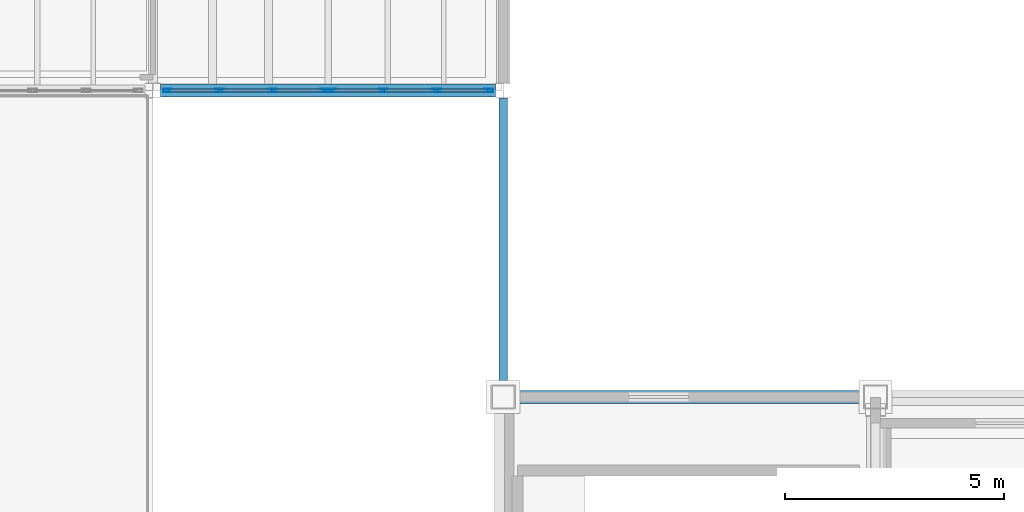
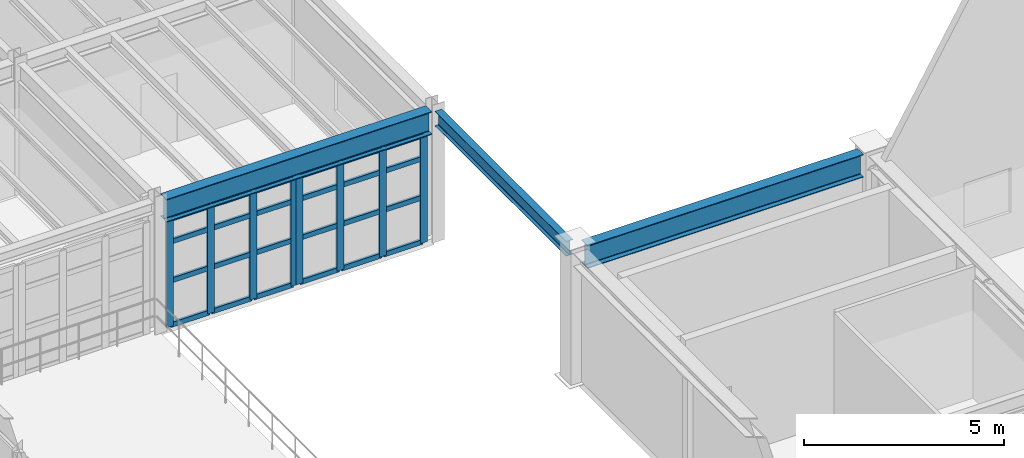
# One storey, part 23 of 78: 32 members, 3 beams, 2 elements without a shape of their own.
"""IFC4 building model written with IfcOpenShell, lengths in metres."""

from ifc_helpers import new_model, si_unit, direction, frame, origin, origin_2d, place, context, subcontext, project, spatial, hollow_rectangle, i_section, extrude, material, material_profile, profile_set, type_object, element, aggregate, save


model = new_model("IFC4")

# Units and contexts
model_context = context("Model", 3, precision=1e-05, world=origin(), true_north=direction((0.0, 1.0)))
body_context = subcontext(model_context, "Body", "Model", "MODEL_VIEW")
ifc_project = project(units=[si_unit("LENGTHUNIT", "METRE"), si_unit("AREAUNIT", "SQUARE_METRE"), si_unit("VOLUMEUNIT", "CUBIC_METRE"), si_unit("PLANEANGLEUNIT", "RADIAN"), si_unit("MASSUNIT", "GRAM", prefix="KILO"), si_unit("THERMODYNAMICTEMPERATUREUNIT", "KELVIN"), si_unit("POWERUNIT", "WATT")], contexts=[model_context])

# Site, building, storey
site_placement = place(None, origin())
site = spatial("IfcSite", under=ifc_project, at=site_placement, CompositionType="ELEMENT")
building_placement = place(site_placement, origin())
building = spatial("IfcBuilding", under=site, at=building_placement, Name="Zhenchuan Central Fire Station", CompositionType="ELEMENT")
storey_placement = place(building_placement, frame((0.0, 0.0, 5.85009765625)))
storey = spatial("IfcBuildingStorey", under=building, at=storey_placement, Name="L02", CompositionType="ELEMENT", Elevation=5.85009765625)

# Beams
ifc_material_1 = material(Name="Steel Q355B", Category="steel")
ifc_material_profile_1 = material_profile(ifc_material_1, i_section(OverallWidth=0.199951171875, OverallDepth=0.449951171875, WebThickness=0.009033203125, FlangeThickness=0.013916015625, FilletRadius=0.01806640625, at=origin_2d()), Name="HN 450x200")
ifc_profile_set_1 = profile_set([ifc_material_profile_1], Name="Steel Q355B")
beam_type_1 = type_object("IfcBeamType", Name="BM-HN450", PredefinedType="BEAM", material=ifc_profile_set_1)
beam_1_placement = place(storey_placement, frame((56.0, 35.77490234375, 3.77490234375), z_axis=(0.0, 1.0, 0.0), x_axis=(-1.0, 0.0, 0.0)))
element("IfcBeam", 1, at=beam_1_placement, inside=storey, type_object=beam_type_1, Name="L03 Girder NS 0313", PredefinedType="BEAM", context=body_context, shape_type="SweptSolid", body=[
    extrude(i_section(OverallWidth=0.199951171875, OverallDepth=0.449951171875, WebThickness=0.009033203125, FlangeThickness=0.013916015625, FilletRadius=0.01806640625, at=origin_2d()), origin(), (0.0, 0.0, 1.0), 6.550048828125),
])
ifc_material_profile_2 = material_profile(ifc_material_1, i_section(OverallWidth=0.300048828125, OverallDepth=0.699951171875, WebThickness=0.012939453125, FlangeThickness=0.02392578125, FilletRadius=0.02392578125, at=origin_2d()), Name="HN 700x300")
ifc_profile_set_2 = profile_set([ifc_material_profile_2], Name="Steel Q355B")
beam_type_2 = type_object("IfcBeamType", Name="BM-HN700", PredefinedType="BEAM", material=ifc_profile_set_2)
beam_2_placement = place(storey_placement, frame((56.27490234375, 35.5, 3.64990234375), z_axis=(1.0, 0.0, 0.0), x_axis=(0.0, 1.0, 0.0)))
element("IfcBeam", 2, at=beam_2_placement, inside=storey, type_object=beam_type_2, Name="L03 Girder EW 0234", PredefinedType="BEAM", context=body_context, shape_type="SweptSolid", body=[
    extrude(i_section(OverallWidth=0.300048828125, OverallDepth=0.699951171875, WebThickness=0.012939453125, FlangeThickness=0.02392578125, FilletRadius=0.02392578125, at=origin_2d()), origin(), (0.0, 0.0, 1.0), 7.9501953125),
])
beam_3_placement = place(storey_placement, frame((48.175048828125, 42.5, 3.64990234375), z_axis=(1.0, 0.0, 0.0), x_axis=(0.0, 1.0, 0.0)))
element("IfcBeam", 3, at=beam_3_placement, inside=storey, type_object=beam_type_2, Name="L03 Girder EW 0248", PredefinedType="BEAM", context=body_context, shape_type="SweptSolid", body=[
    extrude(i_section(OverallWidth=0.300048828125, OverallDepth=0.699951171875, WebThickness=0.012939453125, FlangeThickness=0.02392578125, FilletRadius=0.02392578125, at=origin_2d()), origin(), (0.0, 0.0, 1.0), 7.64990234375),
])

# Curtain wall, members
ifc_material_2 = material(Name="Anodised aluminium and low-E glazing", Category="aluminium")
curtain_wall_type_1 = type_object("IfcCurtainWallType", Name="CW-MOD-07", PredefinedType="USERDEFINED", material=ifc_material_2)
curtain_wall_1_placement = place(storey_placement, origin())
curtain_wall_1 = element("IfcCurtainWall", 4, at=curtain_wall_1_placement, inside=storey, type_object=curtain_wall_type_1, Name="L02 Unitised Curtain Wall 064", ObjectType="UNITISED GLAZING", PredefinedType="USERDEFINED")
ifc_material_3 = material(Name="Anodised aluminium EN AW-6063", Category="aluminium")
ifc_material_profile_3 = material_profile(ifc_material_3, hollow_rectangle(XDim=0.074951171875, YDim=0.199951171875, WallThickness=0.0048828125, at=origin_2d()), Name="ALU-M 200x75")
ifc_profile_set_3 = profile_set([ifc_material_profile_3], Name="Anodised aluminium EN AW-6063")
member_type_1 = type_object("IfcMemberType", Name="CW-MUL160", PredefinedType="MULLION", material=ifc_profile_set_3)
member_1_placement = place(storey_placement, frame((48.33251953125, 42.5, -0.004150390625), z_axis=(0.0, 0.0, 1.0), x_axis=(0.0, 1.0, 0.0)))
member_1 = element("IfcMember", 5, at=member_1_placement, type_object=member_type_1, Name="CW-07 mullion 1", PredefinedType="MULLION", context=body_context, shape_type="SweptSolid", body=[
    extrude(hollow_rectangle(XDim=0.074951171875, YDim=0.199951171875, WallThickness=0.0048828125, at=origin_2d()), origin(), (0.0, 0.0, 1.0), 3.298095703125),
])
member_2_placement = place(storey_placement, frame((49.520751953125, 42.5, -0.004150390625), z_axis=(0.0, 0.0, 1.0), x_axis=(0.0, 1.0, 0.0)))
member_2 = element("IfcMember", 6, at=member_2_placement, type_object=member_type_1, Name="CW-07 mullion 2", PredefinedType="MULLION", context=body_context, shape_type="SweptSolid", body=[
    extrude(hollow_rectangle(XDim=0.074951171875, YDim=0.199951171875, WallThickness=0.0048828125, at=origin_2d()), origin(), (0.0, 0.0, 1.0), 3.298095703125),
])
member_3_placement = place(storey_placement, frame((50.741455078125, 42.5, -0.004150390625), z_axis=(0.0, 0.0, 1.0), x_axis=(0.0, 1.0, 0.0)))
member_3 = element("IfcMember", 7, at=member_3_placement, type_object=member_type_1, Name="CW-07 mullion 3", PredefinedType="MULLION", context=body_context, shape_type="SweptSolid", body=[
    extrude(hollow_rectangle(XDim=0.074951171875, YDim=0.199951171875, WallThickness=0.0048828125, at=origin_2d()), origin(), (0.0, 0.0, 1.0), 3.298095703125),
])
member_4_placement = place(storey_placement, frame((51.929443359375, 42.5, -0.004150390625), z_axis=(0.0, 0.0, 1.0), x_axis=(0.0, 1.0, 0.0)))
member_4 = element("IfcMember", 8, at=member_4_placement, type_object=member_type_1, Name="CW-07 mullion 4", PredefinedType="MULLION", context=body_context, shape_type="SweptSolid", body=[
    extrude(hollow_rectangle(XDim=0.074951171875, YDim=0.199951171875, WallThickness=0.0048828125, at=origin_2d()), origin(), (0.0, 0.0, 1.0), 3.298095703125),
])

curtain_wall_type_2 = type_object("IfcCurtainWallType", Name="CW-MOD-08", PredefinedType="USERDEFINED", material=ifc_material_2)
curtain_wall_2_placement = place(storey_placement, origin())
curtain_wall_2 = element("IfcCurtainWall", 9, at=curtain_wall_2_placement, inside=storey, type_object=curtain_wall_type_2, Name="L02 Unitised Curtain Wall 065", ObjectType="UNITISED GLAZING", PredefinedType="USERDEFINED")
member_5_placement = place(storey_placement, frame((52.070556640625, 42.5, -0.004150390625), z_axis=(0.0, 0.0, 1.0), x_axis=(0.0, 1.0, 0.0)))
member_5 = element("IfcMember", 10, at=member_5_placement, type_object=member_type_1, Name="CW-08 mullion 1", PredefinedType="MULLION", context=body_context, shape_type="SweptSolid", body=[
    extrude(hollow_rectangle(XDim=0.074951171875, YDim=0.199951171875, WallThickness=0.0048828125, at=origin_2d()), origin(), (0.0, 0.0, 1.0), 3.298095703125),
])
member_6_placement = place(storey_placement, frame((53.258544921875, 42.5, -0.004150390625), z_axis=(0.0, 0.0, 1.0), x_axis=(0.0, 1.0, 0.0)))
member_6 = element("IfcMember", 11, at=member_6_placement, type_object=member_type_1, Name="CW-08 mullion 2", PredefinedType="MULLION", context=body_context, shape_type="SweptSolid", body=[
    extrude(hollow_rectangle(XDim=0.074951171875, YDim=0.199951171875, WallThickness=0.0048828125, at=origin_2d()), origin(), (0.0, 0.0, 1.0), 3.298095703125),
])
member_7_placement = place(storey_placement, frame((54.479248046875, 42.5, -0.004150390625), z_axis=(0.0, 0.0, 1.0), x_axis=(0.0, 1.0, 0.0)))
member_7 = element("IfcMember", 12, at=member_7_placement, type_object=member_type_1, Name="CW-08 mullion 3", PredefinedType="MULLION", context=body_context, shape_type="SweptSolid", body=[
    extrude(hollow_rectangle(XDim=0.074951171875, YDim=0.199951171875, WallThickness=0.0048828125, at=origin_2d()), origin(), (0.0, 0.0, 1.0), 3.298095703125),
])
member_8_placement = place(storey_placement, frame((55.66748046875, 42.5, -0.004150390625), z_axis=(0.0, 0.0, 1.0), x_axis=(0.0, 1.0, 0.0)))
member_8 = element("IfcMember", 13, at=member_8_placement, type_object=member_type_1, Name="CW-08 mullion 4", PredefinedType="MULLION", context=body_context, shape_type="SweptSolid", body=[
    extrude(hollow_rectangle(XDim=0.074951171875, YDim=0.199951171875, WallThickness=0.0048828125, at=origin_2d()), origin(), (0.0, 0.0, 1.0), 3.298095703125),
])

# Member
ifc_material_profile_4 = material_profile(ifc_material_3, hollow_rectangle(XDim=0.074951171875, YDim=0.14990234375, WallThickness=0.0048828125, at=origin_2d()), Name="ALU-T 150x75")
ifc_profile_set_4 = profile_set([ifc_material_profile_4], Name="Anodised aluminium EN AW-6063")
member_type_2 = type_object("IfcMemberType", Name="CW-TRN130", PredefinedType="NOTDEFINED", material=ifc_profile_set_4)
member_9_placement = place(storey_placement, frame((48.364990234375, 42.5, 0.0283203125), z_axis=(1.0, 0.0, 0.0), x_axis=(0.0, 1.0, 0.0)))
member_9 = element("IfcMember", 14, at=member_9_placement, type_object=member_type_2, Name="CW-07 transom 1.1", ObjectType="TRANSOM", PredefinedType="USERDEFINED", context=body_context, shape_type="SweptSolid", body=[
    extrude(hollow_rectangle(XDim=0.074951171875, YDim=0.14990234375, WallThickness=0.0048828125, at=origin_2d()), origin(), (0.0, 0.0, 1.0), 1.123291015625),
])

member_10_placement = place(storey_placement, frame((48.364990234375, 42.5, 1.38330078125), z_axis=(1.0, 0.0, 0.0), x_axis=(0.0, 1.0, 0.0)))
member_10 = element("IfcMember", 15, at=member_10_placement, type_object=member_type_2, Name="CW-07 transom 1.2", ObjectType="TRANSOM", PredefinedType="USERDEFINED", context=body_context, shape_type="SweptSolid", body=[
    extrude(hollow_rectangle(XDim=0.074951171875, YDim=0.14990234375, WallThickness=0.0048828125, at=origin_2d()), origin(), (0.0, 0.0, 1.0), 1.123291015625),
])

member_11_placement = place(storey_placement, frame((48.364990234375, 42.5, 2.569091796875), z_axis=(1.0, 0.0, 0.0), x_axis=(0.0, 1.0, 0.0)))
member_11 = element("IfcMember", 16, at=member_11_placement, type_object=member_type_2, Name="CW-07 transom 1.3", ObjectType="TRANSOM", PredefinedType="USERDEFINED", context=body_context, shape_type="SweptSolid", body=[
    extrude(hollow_rectangle(XDim=0.074951171875, YDim=0.14990234375, WallThickness=0.0048828125, at=origin_2d()), origin(), (0.0, 0.0, 1.0), 1.123291015625),
])

member_12_placement = place(storey_placement, frame((48.364990234375, 42.5, 3.261474609375), z_axis=(1.0, 0.0, 0.0), x_axis=(0.0, 1.0, 0.0)))
member_12 = element("IfcMember", 17, at=member_12_placement, type_object=member_type_2, Name="CW-07 transom 1.4", ObjectType="TRANSOM", PredefinedType="USERDEFINED", context=body_context, shape_type="SweptSolid", body=[
    extrude(hollow_rectangle(XDim=0.074951171875, YDim=0.14990234375, WallThickness=0.0048828125, at=origin_2d()), origin(), (0.0, 0.0, 1.0), 1.123291015625),
])

member_13_placement = place(storey_placement, frame((49.55322265625, 42.5, 0.0283203125), z_axis=(1.0, 0.0, 0.0), x_axis=(0.0, 1.0, 0.0)))
member_13 = element("IfcMember", 18, at=member_13_placement, type_object=member_type_2, Name="CW-07 transom 2.1", ObjectType="TRANSOM", PredefinedType="USERDEFINED", context=body_context, shape_type="SweptSolid", body=[
    extrude(hollow_rectangle(XDim=0.074951171875, YDim=0.14990234375, WallThickness=0.0048828125, at=origin_2d()), origin(), (0.0, 0.0, 1.0), 1.155517578125),
])

member_14_placement = place(storey_placement, frame((49.55322265625, 42.5, 1.38330078125), z_axis=(1.0, 0.0, 0.0), x_axis=(0.0, 1.0, 0.0)))
member_14 = element("IfcMember", 19, at=member_14_placement, type_object=member_type_2, Name="CW-07 transom 2.2", ObjectType="TRANSOM", PredefinedType="USERDEFINED", context=body_context, shape_type="SweptSolid", body=[
    extrude(hollow_rectangle(XDim=0.074951171875, YDim=0.14990234375, WallThickness=0.0048828125, at=origin_2d()), origin(), (0.0, 0.0, 1.0), 1.155517578125),
])

member_15_placement = place(storey_placement, frame((49.55322265625, 42.5, 2.569091796875), z_axis=(1.0, 0.0, 0.0), x_axis=(0.0, 1.0, 0.0)))
member_15 = element("IfcMember", 20, at=member_15_placement, type_object=member_type_2, Name="CW-07 transom 2.3", ObjectType="TRANSOM", PredefinedType="USERDEFINED", context=body_context, shape_type="SweptSolid", body=[
    extrude(hollow_rectangle(XDim=0.074951171875, YDim=0.14990234375, WallThickness=0.0048828125, at=origin_2d()), origin(), (0.0, 0.0, 1.0), 1.155517578125),
])

member_16_placement = place(storey_placement, frame((49.55322265625, 42.5, 3.261474609375), z_axis=(1.0, 0.0, 0.0), x_axis=(0.0, 1.0, 0.0)))
member_16 = element("IfcMember", 21, at=member_16_placement, type_object=member_type_2, Name="CW-07 transom 2.4", ObjectType="TRANSOM", PredefinedType="USERDEFINED", context=body_context, shape_type="SweptSolid", body=[
    extrude(hollow_rectangle(XDim=0.074951171875, YDim=0.14990234375, WallThickness=0.0048828125, at=origin_2d()), origin(), (0.0, 0.0, 1.0), 1.155517578125),
])

member_17_placement = place(storey_placement, frame((50.77392578125, 42.5, 0.0283203125), z_axis=(1.0, 0.0, 0.0), x_axis=(0.0, 1.0, 0.0)))
member_17 = element("IfcMember", 22, at=member_17_placement, type_object=member_type_2, Name="CW-07 transom 3.1", ObjectType="TRANSOM", PredefinedType="USERDEFINED", context=body_context, shape_type="SweptSolid", body=[
    extrude(hollow_rectangle(XDim=0.074951171875, YDim=0.14990234375, WallThickness=0.0048828125, at=origin_2d()), origin(), (0.0, 0.0, 1.0), 1.123046875),
])

member_18_placement = place(storey_placement, frame((50.77392578125, 42.5, 1.38330078125), z_axis=(1.0, 0.0, 0.0), x_axis=(0.0, 1.0, 0.0)))
member_18 = element("IfcMember", 23, at=member_18_placement, type_object=member_type_2, Name="CW-07 transom 3.2", ObjectType="TRANSOM", PredefinedType="USERDEFINED", context=body_context, shape_type="SweptSolid", body=[
    extrude(hollow_rectangle(XDim=0.074951171875, YDim=0.14990234375, WallThickness=0.0048828125, at=origin_2d()), origin(), (0.0, 0.0, 1.0), 1.123046875),
])

member_19_placement = place(storey_placement, frame((50.77392578125, 42.5, 2.569091796875), z_axis=(1.0, 0.0, 0.0), x_axis=(0.0, 1.0, 0.0)))
member_19 = element("IfcMember", 24, at=member_19_placement, type_object=member_type_2, Name="CW-07 transom 3.3", ObjectType="TRANSOM", PredefinedType="USERDEFINED", context=body_context, shape_type="SweptSolid", body=[
    extrude(hollow_rectangle(XDim=0.074951171875, YDim=0.14990234375, WallThickness=0.0048828125, at=origin_2d()), origin(), (0.0, 0.0, 1.0), 1.123046875),
])

member_20_placement = place(storey_placement, frame((50.77392578125, 42.5, 3.261474609375), z_axis=(1.0, 0.0, 0.0), x_axis=(0.0, 1.0, 0.0)))
member_20 = element("IfcMember", 25, at=member_20_placement, type_object=member_type_2, Name="CW-07 transom 3.4", ObjectType="TRANSOM", PredefinedType="USERDEFINED", context=body_context, shape_type="SweptSolid", body=[
    extrude(hollow_rectangle(XDim=0.074951171875, YDim=0.14990234375, WallThickness=0.0048828125, at=origin_2d()), origin(), (0.0, 0.0, 1.0), 1.123046875),
])

aggregate(curtain_wall_1, [member_1, member_2, member_3, member_4, member_9, member_10, member_11, member_12, member_13, member_14, member_15, member_16, member_17, member_18, member_19, member_20])

member_21_placement = place(storey_placement, frame((52.10302734375, 42.5, 0.0283203125), z_axis=(1.0, 0.0, 0.0), x_axis=(0.0, 1.0, 0.0)))
member_21 = element("IfcMember", 26, at=member_21_placement, type_object=member_type_2, Name="CW-08 transom 1.1", ObjectType="TRANSOM", PredefinedType="USERDEFINED", context=body_context, shape_type="SweptSolid", body=[
    extrude(hollow_rectangle(XDim=0.074951171875, YDim=0.14990234375, WallThickness=0.0048828125, at=origin_2d()), origin(), (0.0, 0.0, 1.0), 1.123046875),
])

member_22_placement = place(storey_placement, frame((52.10302734375, 42.5, 1.38330078125), z_axis=(1.0, 0.0, 0.0), x_axis=(0.0, 1.0, 0.0)))
member_22 = element("IfcMember", 27, at=member_22_placement, type_object=member_type_2, Name="CW-08 transom 1.2", ObjectType="TRANSOM", PredefinedType="USERDEFINED", context=body_context, shape_type="SweptSolid", body=[
    extrude(hollow_rectangle(XDim=0.074951171875, YDim=0.14990234375, WallThickness=0.0048828125, at=origin_2d()), origin(), (0.0, 0.0, 1.0), 1.123046875),
])

member_23_placement = place(storey_placement, frame((52.10302734375, 42.5, 2.569091796875), z_axis=(1.0, 0.0, 0.0), x_axis=(0.0, 1.0, 0.0)))
member_23 = element("IfcMember", 28, at=member_23_placement, type_object=member_type_2, Name="CW-08 transom 1.3", ObjectType="TRANSOM", PredefinedType="USERDEFINED", context=body_context, shape_type="SweptSolid", body=[
    extrude(hollow_rectangle(XDim=0.074951171875, YDim=0.14990234375, WallThickness=0.0048828125, at=origin_2d()), origin(), (0.0, 0.0, 1.0), 1.123046875),
])

member_24_placement = place(storey_placement, frame((52.10302734375, 42.5, 3.261474609375), z_axis=(1.0, 0.0, 0.0), x_axis=(0.0, 1.0, 0.0)))
member_24 = element("IfcMember", 29, at=member_24_placement, type_object=member_type_2, Name="CW-08 transom 1.4", ObjectType="TRANSOM", PredefinedType="USERDEFINED", context=body_context, shape_type="SweptSolid", body=[
    extrude(hollow_rectangle(XDim=0.074951171875, YDim=0.14990234375, WallThickness=0.0048828125, at=origin_2d()), origin(), (0.0, 0.0, 1.0), 1.123046875),
])

member_25_placement = place(storey_placement, frame((53.291259765625, 42.5, 0.0283203125), z_axis=(1.0, 0.0, 0.0), x_axis=(0.0, 1.0, 0.0)))
member_25 = element("IfcMember", 30, at=member_25_placement, type_object=member_type_2, Name="CW-08 transom 2.1", ObjectType="TRANSOM", PredefinedType="USERDEFINED", context=body_context, shape_type="SweptSolid", body=[
    extrude(hollow_rectangle(XDim=0.074951171875, YDim=0.14990234375, WallThickness=0.0048828125, at=origin_2d()), origin(), (0.0, 0.0, 1.0), 1.155517578125),
])

member_26_placement = place(storey_placement, frame((53.291259765625, 42.5, 1.38330078125), z_axis=(1.0, 0.0, 0.0), x_axis=(0.0, 1.0, 0.0)))
member_26 = element("IfcMember", 31, at=member_26_placement, type_object=member_type_2, Name="CW-08 transom 2.2", ObjectType="TRANSOM", PredefinedType="USERDEFINED", context=body_context, shape_type="SweptSolid", body=[
    extrude(hollow_rectangle(XDim=0.074951171875, YDim=0.14990234375, WallThickness=0.0048828125, at=origin_2d()), origin(), (0.0, 0.0, 1.0), 1.155517578125),
])

member_27_placement = place(storey_placement, frame((53.291259765625, 42.5, 2.569091796875), z_axis=(1.0, 0.0, 0.0), x_axis=(0.0, 1.0, 0.0)))
member_27 = element("IfcMember", 32, at=member_27_placement, type_object=member_type_2, Name="CW-08 transom 2.3", ObjectType="TRANSOM", PredefinedType="USERDEFINED", context=body_context, shape_type="SweptSolid", body=[
    extrude(hollow_rectangle(XDim=0.074951171875, YDim=0.14990234375, WallThickness=0.0048828125, at=origin_2d()), origin(), (0.0, 0.0, 1.0), 1.155517578125),
])

member_28_placement = place(storey_placement, frame((53.291259765625, 42.5, 3.261474609375), z_axis=(1.0, 0.0, 0.0), x_axis=(0.0, 1.0, 0.0)))
member_28 = element("IfcMember", 33, at=member_28_placement, type_object=member_type_2, Name="CW-08 transom 2.4", ObjectType="TRANSOM", PredefinedType="USERDEFINED", context=body_context, shape_type="SweptSolid", body=[
    extrude(hollow_rectangle(XDim=0.074951171875, YDim=0.14990234375, WallThickness=0.0048828125, at=origin_2d()), origin(), (0.0, 0.0, 1.0), 1.155517578125),
])

member_29_placement = place(storey_placement, frame((54.51171875, 42.5, 0.0283203125), z_axis=(1.0, 0.0, 0.0), x_axis=(0.0, 1.0, 0.0)))
member_29 = element("IfcMember", 34, at=member_29_placement, type_object=member_type_2, Name="CW-08 transom 3.1", ObjectType="TRANSOM", PredefinedType="USERDEFINED", context=body_context, shape_type="SweptSolid", body=[
    extrude(hollow_rectangle(XDim=0.074951171875, YDim=0.14990234375, WallThickness=0.0048828125, at=origin_2d()), origin(), (0.0, 0.0, 1.0), 1.123291015625),
])

member_30_placement = place(storey_placement, frame((54.51171875, 42.5, 1.38330078125), z_axis=(1.0, 0.0, 0.0), x_axis=(0.0, 1.0, 0.0)))
member_30 = element("IfcMember", 35, at=member_30_placement, type_object=member_type_2, Name="CW-08 transom 3.2", ObjectType="TRANSOM", PredefinedType="USERDEFINED", context=body_context, shape_type="SweptSolid", body=[
    extrude(hollow_rectangle(XDim=0.074951171875, YDim=0.14990234375, WallThickness=0.0048828125, at=origin_2d()), origin(), (0.0, 0.0, 1.0), 1.123291015625),
])

member_31_placement = place(storey_placement, frame((54.51171875, 42.5, 2.569091796875), z_axis=(1.0, 0.0, 0.0), x_axis=(0.0, 1.0, 0.0)))
member_31 = element("IfcMember", 36, at=member_31_placement, type_object=member_type_2, Name="CW-08 transom 3.3", ObjectType="TRANSOM", PredefinedType="USERDEFINED", context=body_context, shape_type="SweptSolid", body=[
    extrude(hollow_rectangle(XDim=0.074951171875, YDim=0.14990234375, WallThickness=0.0048828125, at=origin_2d()), origin(), (0.0, 0.0, 1.0), 1.123291015625),
])

member_32_placement = place(storey_placement, frame((54.51171875, 42.5, 3.261474609375), z_axis=(1.0, 0.0, 0.0), x_axis=(0.0, 1.0, 0.0)))
member_32 = element("IfcMember", 37, at=member_32_placement, type_object=member_type_2, Name="CW-08 transom 3.4", ObjectType="TRANSOM", PredefinedType="USERDEFINED", context=body_context, shape_type="SweptSolid", body=[
    extrude(hollow_rectangle(XDim=0.074951171875, YDim=0.14990234375, WallThickness=0.0048828125, at=origin_2d()), origin(), (0.0, 0.0, 1.0), 1.123291015625),
])

aggregate(curtain_wall_2, [member_5, member_6, member_7, member_8, member_21, member_22, member_23, member_24, member_25, member_26, member_27, member_28, member_29, member_30, member_31, member_32])

save(model, "model.ifc")
